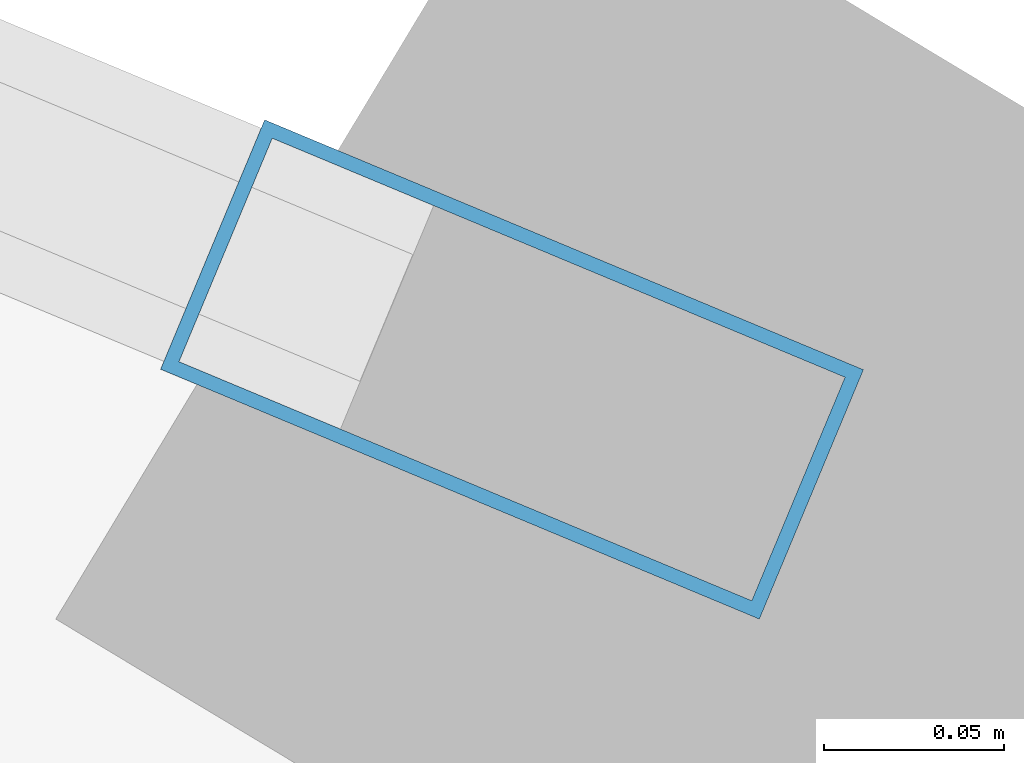
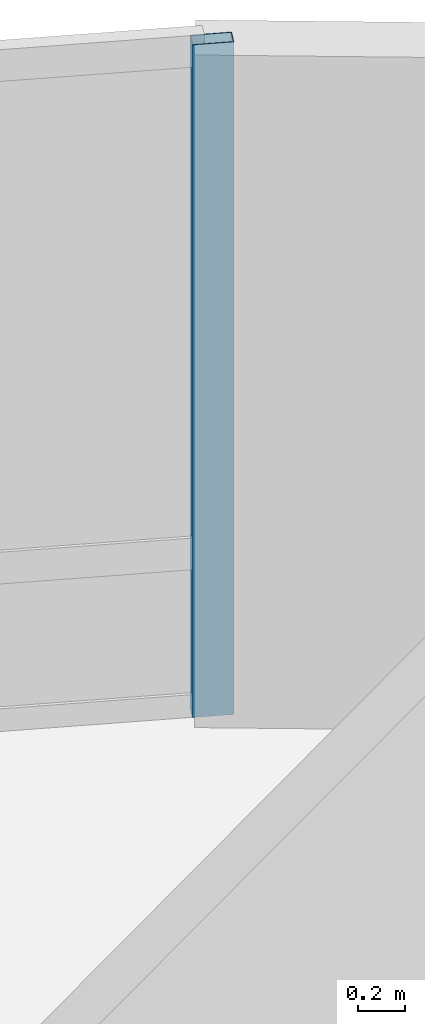
# One storey, part 12 of 17: 1 member, 1 element without a shape of its own.
"""IFC4 building model written with IfcOpenShell, lengths in metres."""

from ifc_helpers import new_model, si_unit, direction, frame, origin, origin_2d, place, context, subcontext, project, spatial, hollow_rectangle, extrude, material, layer, layer_set, material_profile, profile_set, type_object, element, aggregate, save


model = new_model("IFC4")

# Units and contexts
model_context = context("Model", 3, precision=1e-05, world=origin(), true_north=direction((0.0, 1.0)))
body_context = subcontext(model_context, "Body", "Model", "MODEL_VIEW")
ifc_project = project(units=[si_unit("LENGTHUNIT", "METRE"), si_unit("AREAUNIT", "SQUARE_METRE"), si_unit("VOLUMEUNIT", "CUBIC_METRE"), si_unit("PLANEANGLEUNIT", "RADIAN"), si_unit("MASSUNIT", "GRAM", prefix="KILO")], contexts=[model_context])

# Site, building, storey
site_placement = place(None, origin())
site = spatial("IfcSite", under=ifc_project, at=site_placement, CompositionType="ELEMENT")
building_placement = place(site_placement, origin())
building = spatial("IfcBuilding", under=site, at=building_placement, Name="Menara Vayukalpa", CompositionType="ELEMENT")
storey_placement = place(building_placement, frame((0.0, 0.0, 154.320068359375)))
storey = spatial("IfcBuildingStorey", under=building, at=storey_placement, Name="L38", CompositionType="ELEMENT", Elevation=154.320068359375)

# Curtain wall, member
ifc_material_1 = material(Name="Anodised Terracotta Aluminium Alloy 6063-T6", Category="masonry")
ifc_layer = layer(ifc_material_1, 0.179931640625)
ifc_layer_set = layer_set([ifc_layer], Name="Anodised Terracotta Aluminium Alloy 6063-T6")
curtain_wall_type = type_object("IfcCurtainWallType", Name="CW-CW4", PredefinedType="USERDEFINED", material=ifc_layer_set)
curtain_wall_placement = place(storey_placement, origin())
curtain_wall = element("IfcCurtainWall", 1, at=curtain_wall_placement, inside=storey, type_object=curtain_wall_type, Name="L38 Sky Bar Cantilever Glazed Curtain Wall CW4 04", ObjectType="UNITISED", PredefinedType="USERDEFINED")
ifc_material_2 = material(Name="Anodised Terracotta Aluminium Alloy 6063-T6", Category="masonry")
ifc_material_profile = material_profile(ifc_material_2, hollow_rectangle(XDim=0.074951171875, YDim=0.179931640625, WallThickness=0.00390625, at=origin_2d()), Name="ALU 75x180x4")
ifc_profile_set = profile_set([ifc_material_profile], Name="Anodised Terracotta Aluminium Alloy 6063-T6")
member_type = type_object("IfcMemberType", Name="CWM-CW4", PredefinedType="MULLION", material=ifc_profile_set)
member_placement = place(storey_placement, frame((46.20068359375, 29.039794921875, 0.0), z_axis=(0.0, 0.0, 1.0), x_axis=(-0.385091352437, -0.922878459104, 0.0)))
member = element("IfcMember", 2, at=member_placement, type_object=member_type, Name="CW4 mullion 1", PredefinedType="MULLION", context=body_context, shape_type="SweptSolid", body=[
    extrude(hollow_rectangle(XDim=0.074951171875, YDim=0.179931640625, WallThickness=0.00390625, at=origin_2d()), origin(), (0.0, 0.0, 1.0), 3.5),
])
aggregate(curtain_wall, [member])

save(model, "model.ifc")
